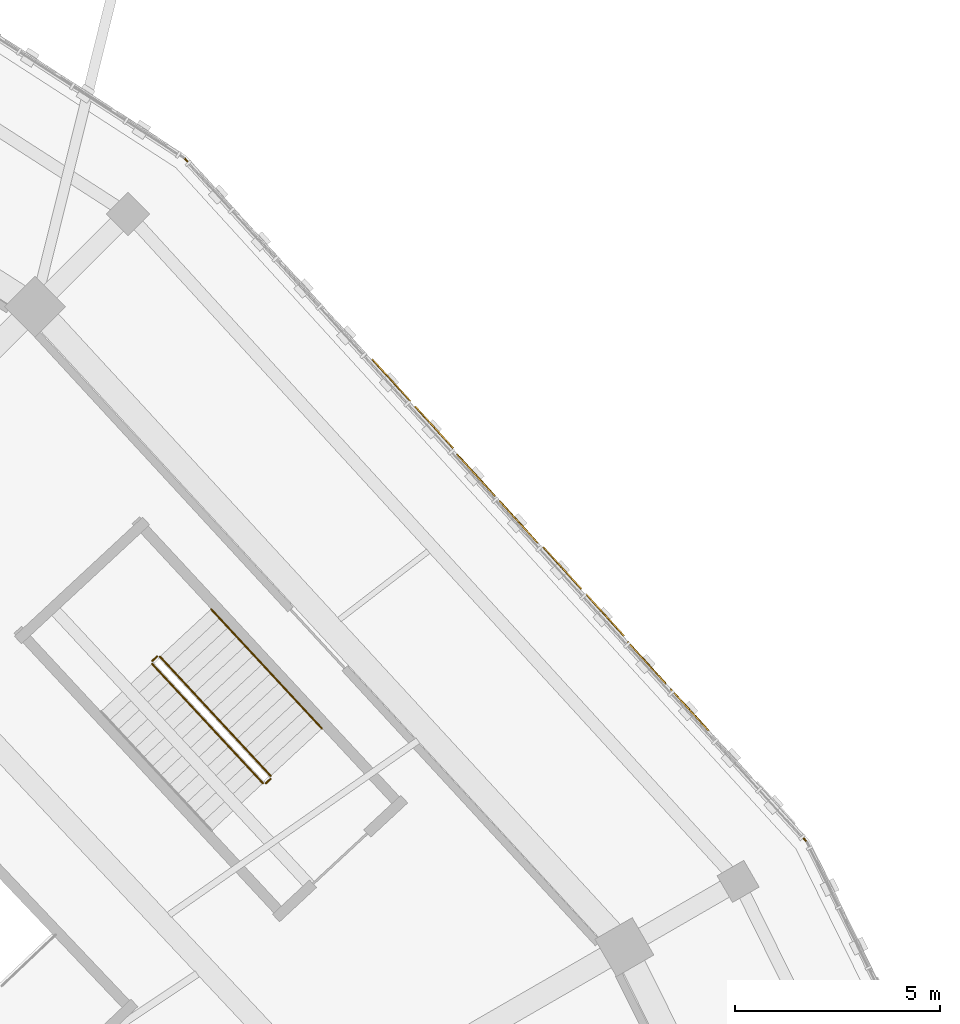
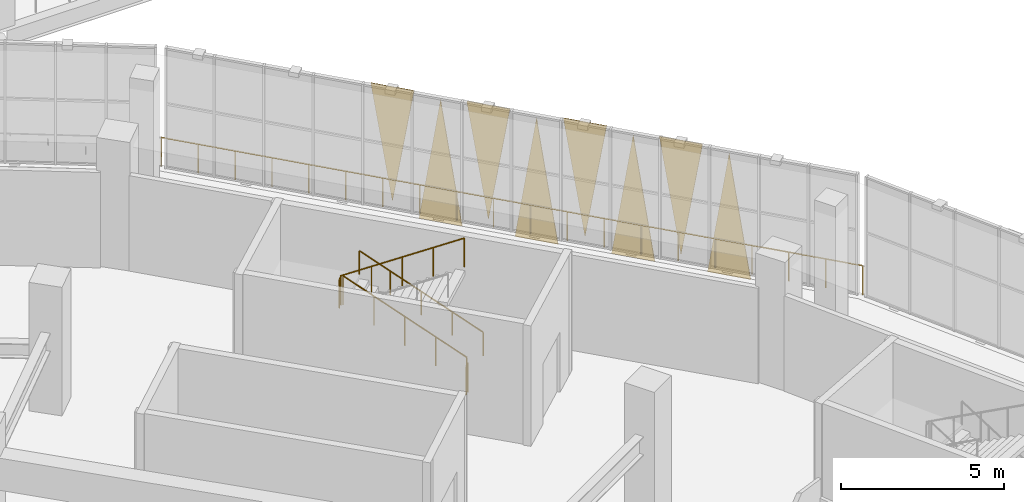
# One storey, part 172 of 179: 8 coverings, 6 railings.
"""IFC4 building model written with IfcOpenShell, lengths in metres."""

import ifcopenshell
import ifcopenshell.guid

model = None  # the IFC model being written
_history = None  # IfcOwnerHistory: only IFC2X3 demands one
_inside = {}  # id of a spatial element -> (the spatial element, [elements in it])
_under = {}  # id of a project, library or spatial element -> (it, [spatial elements below it])
_declared = {}  # id of a project -> (the project, [libraries it declares])
_typed = {}  # id of a type object -> (the type object, [elements of that type])
_made_of = {}  # id of a material, layer set ... -> (it, [elements and type objects made of it])


def new_model(schema):
    """Start an empty IFC model of exactly this schema.

    Asked for "IFC4X3", IfcOpenShell would pick the latest addendum, in which some entities
    have other attributes; the version numbers below select the first issue.
    IFC2X3 requires an IfcOwnerHistory on every rooted entity: one is made here for all.
    """
    global model, _history
    if schema == "IFC4X3":
        model = ifcopenshell.file(schema_version=(4, 3, 0, 0))
    else:
        model = ifcopenshell.file(schema=schema)
    _inside.clear()
    _under.clear()
    _declared.clear()
    _typed.clear()
    _made_of.clear()
    _history = None
    if model.schema == "IFC2X3":
        org = make("IfcOrganization", Name="unknown")
        user = make(
            "IfcPersonAndOrganization",
            ThePerson=make("IfcPerson", FamilyName="unknown"),
            TheOrganization=org,
        )
        app = make(
            "IfcApplication",
            ApplicationDeveloper=org,
            Version="unknown",
            ApplicationFullName="unknown",
            ApplicationIdentifier="unknown",
        )
        _history = make(
            "IfcOwnerHistory",
            OwningUser=user,
            OwningApplication=app,
            ChangeAction="ADDED",
            CreationDate=0,
        )
    return model


def make(cls, **values):
    """One entity of the class cls with the attributes given. An attribute that is None is left unset."""
    return model.create_entity(
        cls, **{name: value for name, value in values.items() if value is not None}
    )


def rooted(cls, **values):
    """An entity with a GlobalId (a new one), such as an element, a storey or a relation."""
    return make(cls, GlobalId=ifcopenshell.guid.new(), OwnerHistory=_history, **values)


def si_unit(unit_type, name, prefix=None):
    """IfcSIUnit, for example si_unit("LENGTHUNIT", "METRE", prefix="MILLI")."""
    return make("IfcSIUnit", UnitType=unit_type, Prefix=prefix, Name=name)


def assignment(units):
    """IfcUnitAssignment: the units of a project."""
    return None if units is None else make("IfcUnitAssignment", Units=units)


def point(xyz):
    """IfcCartesianPoint."""
    return None if xyz is None else make("IfcCartesianPoint", Coordinates=xyz)


def direction(xyz):
    """IfcDirection."""
    return None if xyz is None else make("IfcDirection", DirectionRatios=xyz)


def frame(location, z_axis=None, x_axis=None):
    """IfcAxis2Placement3D, a coordinate frame: its origin and axes. An axis left out is left unset."""
    return make(
        "IfcAxis2Placement3D",
        Location=point(location),
        Axis=direction(z_axis),
        RefDirection=direction(x_axis),
    )


def frame_2d(location, x_axis=None):
    """IfcAxis2Placement2D, a coordinate frame in the plane: its origin and x axis."""
    return make(
        "IfcAxis2Placement2D", Location=point(location), RefDirection=direction(x_axis)
    )


def origin():
    """The frame at (0, 0, 0) with its axes left unset."""
    return frame((0.0, 0.0, 0.0))


def origin_2d():
    """The frame at (0, 0) in the plane with its x axis left unset."""
    return frame_2d((0.0, 0.0))


def place(relative_to, where):
    """IfcLocalPlacement: puts the frame where relative to a parent placement (None: the world)."""
    return make(
        "IfcLocalPlacement", PlacementRelTo=relative_to, RelativePlacement=where
    )


def context(
    kind, dimensions, precision=None, world=None, true_north=None, identifier=None
):
    """IfcGeometricRepresentationContext, for example the 3D "Model" context."""
    return make(
        "IfcGeometricRepresentationContext",
        ContextIdentifier=identifier,
        ContextType=kind,
        CoordinateSpaceDimension=dimensions,
        Precision=precision,
        WorldCoordinateSystem=world,
        TrueNorth=true_north,
    )


def subcontext(parent, identifier, kind, view, scale=None):
    """IfcGeometricRepresentationSubContext, for example "Body" below "Model"."""
    return make(
        "IfcGeometricRepresentationSubContext",
        ContextIdentifier=identifier,
        ContextType=kind,
        ParentContext=parent,
        TargetScale=scale,
        TargetView=view,
    )


def project(units=None, contexts=None):
    """IfcProject with its units and contexts."""
    return rooted(
        "IfcProject",
        Name="project",
        RepresentationContexts=contexts,
        UnitsInContext=assignment(units),
    )


def spatial(cls, under=None, at=None, **own):
    """A site, building, storey or space (cls), placed at a placement, below another one or the project."""
    s = rooted(cls, ObjectPlacement=at, **own)
    if under is not None:
        _under.setdefault(under.id(), (under, []))[1].append(s)
    return s


def polyline(points):
    """IfcPolyline through the points."""
    return make("IfcPolyline", Points=[point(p) for p in points])


def profile(cls, at=None, kind="AREA", **sizes):
    """A parametric profile (cls). Its sizes go by their IFC names, for example OverallWidth=200.0."""
    return make(cls, ProfileType=kind, Position=at, **sizes)


def circle(**sizes):
    """IfcCircleProfileDef."""
    return profile("IfcCircleProfileDef", **sizes)


def outline(outer, holes=None, kind="AREA"):
    """IfcArbitraryClosedProfileDef: a profile drawn as a closed curve; with holes, ...WithVoids."""
    if holes is None:
        return make("IfcArbitraryClosedProfileDef", ProfileType=kind, OuterCurve=outer)
    return make(
        "IfcArbitraryProfileDefWithVoids",
        ProfileType=kind,
        OuterCurve=outer,
        InnerCurves=holes,
    )


def extrude(swept, where, along, depth):
    """IfcExtrudedAreaSolid: the profile swept, set in the frame where, extruded along a direction by depth."""
    return make(
        "IfcExtrudedAreaSolid",
        SweptArea=swept,
        Position=where,
        ExtrudedDirection=direction(along),
        Depth=depth,
    )


def shape(context_of_items, identifier, shape_type, items):
    """IfcShapeRepresentation: the items that make up one representation, for example the "Body"."""
    return make(
        "IfcShapeRepresentation",
        ContextOfItems=context_of_items,
        RepresentationIdentifier=identifier,
        RepresentationType=shape_type,
        Items=items,
    )


def material(Name=None, Category=None):
    """IfcMaterial."""
    return make("IfcMaterial", Name=Name, Category=Category)


def layer(
    of_material, thickness, ventilated=None, Name=None, Category=None, Priority=None
):
    """IfcMaterialLayer: one layer of a wall or slab, of a material (None: an air gap)."""
    return make(
        "IfcMaterialLayer",
        Material=of_material,
        LayerThickness=thickness,
        IsVentilated=ventilated,
        Name=Name,
        Category=Category,
        Priority=Priority,
    )


def layer_set(layers, Name=None):
    """IfcMaterialLayerSet."""
    return make("IfcMaterialLayerSet", MaterialLayers=layers, LayerSetName=Name)


def made_of(thing, what):
    """Note that an element or type object is made of a material, layer set ...; save() writes the relation."""
    if what is not None:
        _made_of.setdefault(what.id(), (what, []))[1].append(thing)
    return thing


def type_object(cls, material=None, **own):
    """A type object (cls), such as IfcWallType, which elements share."""
    return made_of(rooted(cls, **own), material)


def element(
    cls,
    number,
    at=None,
    inside=None,
    cuts=None,
    type_object=None,
    material=None,
    context=None,
    identifier="Body",
    shape_type=None,
    held_by="IfcProductDefinitionShape",
    body=None,
    shapes=None,
    **own,
):
    """One element of the class cls, such as IfcWall. Its Tag is "e" and its number.

    at: its placement. inside: the storey or other place that contains it. cuts: it is an
    opening in that element (IfcRelVoidsElement). A single representation is given by context,
    identifier, shape_type and body (its items); several are given by shapes. held_by: the class
    of the entity that holds the representations. save() writes the other relations.
    """
    e = rooted(cls, Tag="e%d" % number, ObjectPlacement=at, **own)
    if body is not None:
        shapes = [shape(context, identifier, shape_type, body)]
    if shapes is not None:
        e.Representation = make(held_by, Representations=shapes)
    if inside is not None:
        _inside.setdefault(inside.id(), (inside, []))[1].append(e)
    if cuts is not None:
        rooted(
            "IfcRelVoidsElement", RelatingBuildingElement=cuts, RelatedOpeningElement=e
        )
    if type_object is not None:
        _typed.setdefault(type_object.id(), (type_object, []))[1].append(e)
    return made_of(e, material)


def aggregate(whole, parts):
    """IfcRelAggregates: a whole, such as a stair, and the parts it consists of."""
    return rooted("IfcRelAggregates", RelatingObject=whole, RelatedObjects=parts)


def save(model, path):
    """Write the relations noted so far, then the file.

    IfcRelAggregates (storeys below a building ...), IfcRelContainedInSpatialStructure (elements
    in a storey), IfcRelDefinesByType, IfcRelAssociatesMaterial and IfcRelDeclares: one each for
    every whole, place, type object, material and project.
    """
    for whole, parts in _under.values():
        aggregate(whole, parts)
    for where, things in _inside.values():
        rooted(
            "IfcRelContainedInSpatialStructure",
            RelatedElements=things,
            RelatingStructure=where,
        )
    for kind, things in _typed.values():
        rooted("IfcRelDefinesByType", RelatedObjects=things, RelatingType=kind)
    for what, things in _made_of.values():
        rooted("IfcRelAssociatesMaterial", RelatedObjects=things, RelatingMaterial=what)
    for by, libraries in _declared.values():
        rooted("IfcRelDeclares", RelatingContext=by, RelatedDefinitions=libraries)
    model.write(path)


model = new_model("IFC4")

# Units and contexts
model_context = context("Model", 3, precision=1e-05, world=origin(), true_north=direction((0.0, 1.0)))
body_context = subcontext(model_context, "Body", "Model", "MODEL_VIEW")
ifc_project = project(units=[si_unit("LENGTHUNIT", "METRE"), si_unit("AREAUNIT", "SQUARE_METRE"), si_unit("VOLUMEUNIT", "CUBIC_METRE"), si_unit("PLANEANGLEUNIT", "RADIAN"), si_unit("MASSUNIT", "GRAM", prefix="KILO")], contexts=[model_context])

# Site, building, storey
site_placement = place(None, origin())
site = spatial("IfcSite", under=ifc_project, at=site_placement, CompositionType="ELEMENT")
building_placement = place(site_placement, origin())
building = spatial("IfcBuilding", under=site, at=building_placement, Name="Zevraka Park Crest Stadium", CompositionType="ELEMENT")
storey_placement = place(building_placement, frame((0.0, 0.0, 10.199951171875)))
storey = spatial("IfcBuildingStorey", under=building, at=storey_placement, Name="L02", CompositionType="ELEMENT", Elevation=10.199951171875)

# Coverings
ifc_material_1 = material(Name="Architectural golden-bronze perforated aluminium", Category="aluminium")
ifc_layer = layer(ifc_material_1, 0.034912109375)
ifc_layer_set = layer_set([ifc_layer], Name="Architectural golden-bronze perforated aluminium")
covering_type = type_object("IfcCoveringType", Name="CLD01", PredefinedType="CLADDING", material=ifc_layer_set)
covering_1_placement = place(storey_placement, frame((192.26708984375, 134.928955078125, -0.239990234375), z_axis=(0.739525523705, 0.673128495261, 0.000169283236), x_axis=(-0.673128504906, 0.739525534301, 0.0)))
element("IfcCovering", 1, at=covering_1_placement, inside=storey, type_object=covering_type, Name="Triangular Golden-Bronze Perforated Cladding L02-02-3", PredefinedType="CLADDING", context=body_context, shape_type="SweptSolid", body=[
    extrude(outline(polyline([(0.0, 0.0), (1.386221890693398, 0.0), (0.6929882508091156, 4.560058659088377), (0.0, 0.0)])), origin(), (0.0, 0.0, -1.0), 0.034912109375),
])
covering_2_placement = place(storey_placement, frame((190.29296875, 137.096923828125, 4.47998046875), z_axis=(0.739445718619, 0.673216183078, 7.591213e-06), x_axis=(0.673216183098, -0.73944571864, 0.0)))
element("IfcCovering", 2, at=covering_2_placement, inside=storey, type_object=covering_type, Name="Triangular Golden-Bronze Perforated Cladding L02-02-4", PredefinedType="CLADDING", context=body_context, shape_type="SweptSolid", body=[
    extrude(outline(polyline([(0.0, 0.0), (1.3860413522097383, 0.0), (0.6937104524240771, 4.2600097657477445), (0.0, 0.0)])), origin(), (0.0, 0.0, -1.0), 0.034912109375),
])
covering_3_placement = place(storey_placement, frame((190.18505859375, 137.215087890625, -0.239990234375), z_axis=(-0.739445710181, -0.673216175396, 0.000151264791), x_axis=(-0.673216183098, 0.73944571864, 0.0)))
element("IfcCovering", 3, at=covering_3_placement, inside=storey, type_object=covering_type, Name="Triangular Golden-Bronze Perforated Cladding L02-02-5", PredefinedType="CLADDING", context=body_context, shape_type="SweptSolid", body=[
    extrude(outline(polyline([(0.0, 0.0), (1.3860413522097383, 0.0), (0.693053014745271, -4.560058645919435), (0.0, 0.0)])), origin(), (0.0, 0.0, -1.0), 0.034912109375),
])
covering_4_placement = place(storey_placement, frame((188.2119140625, 139.384033203125, 4.47998046875), z_axis=(-0.739525526779, -0.673128498059, 0.000142629595), x_axis=(0.673128504906, -0.739525534301, 0.0)))
element("IfcCovering", 4, at=covering_4_placement, inside=storey, type_object=covering_type, Name="Triangular Golden-Bronze Perforated Cladding L02-02-6", PredefinedType="CLADDING", context=body_context, shape_type="SweptSolid", body=[
    extrude(outline(polyline([(0.0, 0.0), (1.386221890693398, -1.3552527156068805e-20), (0.6930530916581348, -4.260009808956119), (0.0, 0.0)])), origin(), (0.0, 0.0, -1.0), 0.034912109375),
])
covering_5_placement = place(storey_placement, frame((188.10400390625, 139.501953125, -0.239990234375), z_axis=(0.739525523705, 0.673128495261, 0.000169283236), x_axis=(-0.673128504906, 0.739525534301, 0.0)))
element("IfcCovering", 5, at=covering_5_placement, inside=storey, type_object=covering_type, Name="Triangular Golden-Bronze Perforated Cladding L02-02-7", PredefinedType="CLADDING", context=body_context, shape_type="SweptSolid", body=[
    extrude(outline(polyline([(0.0, 0.0), (1.386221890693398, 0.0), (0.6929882508091156, 4.560058659088377), (0.0, 0.0)])), origin(), (0.0, 0.0, -1.0), 0.034912109375),
])
covering_6_placement = place(storey_placement, frame((186.1298828125, 141.669921875, 4.47998046875), z_axis=(0.739445708947, 0.673216174272, 0.00016191895), x_axis=(0.673216183098, -0.73944571864, 0.0)))
element("IfcCovering", 6, at=covering_6_placement, inside=storey, type_object=covering_type, Name="Triangular Golden-Bronze Perforated Cladding L02-02-8", PredefinedType="CLADDING", context=body_context, shape_type="SweptSolid", body=[
    extrude(outline(polyline([(0.0, 0.0), (1.3860413522097383, 1.3552527156068805e-20), (0.6929883374644674, 4.2600098214689295), (0.0, 0.0)])), origin(), (0.0, 0.0, -1.0), 0.034912109375),
])
covering_7_placement = place(storey_placement, frame((186.02197265625, 141.7880859375, -0.239990234375), z_axis=(-0.739533401254, -0.673119849021, 0.000131466956), x_axis=(-0.673119854838, 0.739533407645, 0.0)))
element("IfcCovering", 7, at=covering_7_placement, inside=storey, type_object=covering_type, Name="Triangular Golden-Bronze Perforated Cladding L02-02-9", PredefinedType="CLADDING", context=body_context, shape_type="SweptSolid", body=[
    extrude(outline(polyline([(0.0, 0.0), (1.3858770045481608, -1.3552527156068805e-20), (0.6930530987176917, -4.560058633157025), (0.0, 0.0)])), origin(), (0.0, 0.0, -1.0), 0.034912109375),
])
covering_8_placement = place(storey_placement, frame((184.049072265625, 143.95703125, 4.47998046875), z_axis=(-0.7396132, -0.673032159371, 0.000163824932), x_axis=(0.673032168403, -0.739613209925, 0.0)))
element("IfcCovering", 8, at=covering_8_placement, inside=storey, type_object=covering_type, Name="Triangular Golden-Bronze Perforated Cladding L02-02-10", PredefinedType="CLADDING", context=body_context, shape_type="SweptSolid", body=[
    extrude(outline(polyline([(0.0, 0.0), (1.386057564438635, 1.3552527156068805e-20), (0.6928888504307142, -4.260009822791368), (0.0, 0.0)])), origin(), (0.0, 0.0, -1.0), 0.034912109375),
])

# Railings
ifc_material_2 = material(Name="Galvanised and bronze-finished steel balustrade", Category="steel")
railing_type_1 = type_object("IfcRailingType", Name="GR01", PredefinedType="GUARDRAIL", material=ifc_material_2)
railing_1_placement = place(storey_placement, frame((179.48291015625, 148.867919921875, 0.0)))
element("IfcRailing", 9, at=railing_1_placement, inside=storey, type_object=railing_type_1, Name="Deck Edge Protection Guardrail GR01 L02-19", PredefinedType="GUARDRAIL", context=body_context, shape_type="SweptSolid", body=[
    extrude(circle(Radius=0.02392578125, at=origin_2d()), frame((0.0, 0.0, 1.076171875), z_axis=(0.673170013171, -0.739487750654, 0.0), x_axis=(0.739487750654, 0.673170013171, 0.0)), (0.0, 0.0, 1.0), 22.5263671875),
    extrude(circle(Radius=0.02099609375, at=origin_2d()), origin(), (0.0, 0.0, 1.0), 1.052001953125),
    extrude(circle(Radius=0.02099609375, at=origin_2d()), frame((0.798095703125, -0.876708984375, 0.0)), (0.0, 0.0, 1.0), 1.052001953125),
    extrude(circle(Radius=0.02099609375, at=origin_2d()), frame((1.59619140625, -1.75341796875, 0.0)), (0.0, 0.0, 1.0), 1.052001953125),
    extrude(circle(Radius=0.02099609375, at=origin_2d()), frame((2.394287109375, -2.630126953125, 0.0)), (0.0, 0.0, 1.0), 1.052001953125),
    extrude(circle(Radius=0.02099609375, at=origin_2d()), frame((3.1923828125, -3.5068359375, 0.0)), (0.0, 0.0, 1.0), 1.052001953125),
    extrude(circle(Radius=0.02099609375, at=origin_2d()), frame((3.990478515625, -4.3837890625, 0.0)), (0.0, 0.0, 1.0), 1.052001953125),
    extrude(circle(Radius=0.02099609375, at=origin_2d()), frame((4.78857421875, -5.260498046875, 0.0)), (0.0, 0.0, 1.0), 1.052001953125),
    extrude(circle(Radius=0.02099609375, at=origin_2d()), frame((5.586669921875, -6.13720703125, 0.0)), (0.0, 0.0, 1.0), 1.052001953125),
    extrude(circle(Radius=0.02099609375, at=origin_2d()), frame((6.384765625, -7.013916015625, 0.0)), (0.0, 0.0, 1.0), 1.052001953125),
    extrude(circle(Radius=0.02099609375, at=origin_2d()), frame((7.182861328125, -7.890625, 0.0)), (0.0, 0.0, 1.0), 1.052001953125),
    extrude(circle(Radius=0.02099609375, at=origin_2d()), frame((7.981201171875, -8.767333984375, 0.0)), (0.0, 0.0, 1.0), 1.052001953125),
    extrude(circle(Radius=0.02099609375, at=origin_2d()), frame((8.779296875, -9.64404296875, 0.0)), (0.0, 0.0, 1.0), 1.052001953125),
    extrude(circle(Radius=0.02099609375, at=origin_2d()), frame((9.577392578125, -10.520751953125, 0.0)), (0.0, 0.0, 1.0), 1.052001953125),
    extrude(circle(Radius=0.02099609375, at=origin_2d()), frame((10.37548828125, -11.3974609375, 0.0)), (0.0, 0.0, 1.0), 1.052001953125),
    extrude(circle(Radius=0.02099609375, at=origin_2d()), frame((11.173583984375, -12.274169921875, 0.0)), (0.0, 0.0, 1.0), 1.052001953125),
    extrude(circle(Radius=0.02099609375, at=origin_2d()), frame((11.9716796875, -13.151123046875, 0.0)), (0.0, 0.0, 1.0), 1.052001953125),
    extrude(circle(Radius=0.02099609375, at=origin_2d()), frame((12.769775390625, -14.02783203125, 0.0)), (0.0, 0.0, 1.0), 1.052001953125),
    extrude(circle(Radius=0.02099609375, at=origin_2d()), frame((13.56787109375, -14.904541015625, 0.0)), (0.0, 0.0, 1.0), 1.052001953125),
    extrude(circle(Radius=0.02099609375, at=origin_2d()), frame((14.365966796875, -15.78125, 0.0)), (0.0, 0.0, 1.0), 1.052001953125),
    extrude(circle(Radius=0.02099609375, at=origin_2d()), frame((15.1640625, -16.657958984375, 0.0)), (0.0, 0.0, 1.0), 1.052001953125),
])
ifc_material_3 = material(Name="Powder-coated tubular steel stairwell guard", Category="steel")
railing_type_2 = type_object("IfcRailingType", Name="GR03", PredefinedType="GUARDRAIL", material=ifc_material_3)
railing_2_placement = place(storey_placement, frame((181.589599609375, 133.81787109375, 0.17138671875)))
element("IfcRailing", 10, at=railing_2_placement, inside=storey, type_object=railing_type_2, Name="L02 ST03 stair guard 1", PredefinedType="GUARDRAIL", context=body_context, shape_type="SweptSolid", body=[
    extrude(circle(Radius=0.02392578125, at=origin_2d()), frame((0.0, 0.0, 1.076171875), z_axis=(-0.593000427987, 0.638946152675, 0.489998271822), x_axis=(-0.732968909084, -0.680262139412, 0.0)), (0.0, 0.0, 1.0), 4.548583984375),
    extrude(circle(Radius=0.02099609375, at=origin_2d()), origin(), (0.0, 0.0, 1.0), 1.052001953125),
    extrude(circle(Radius=0.02099609375, at=origin_2d()), frame((-0.67431640625, 0.7265625, 0.55712890625)), (0.0, 0.0, 1.0), 1.052001953125),
    extrude(circle(Radius=0.02099609375, at=origin_2d()), frame((-1.3486328125, 1.453125, 1.1142578125)), (0.0, 0.0, 1.0), 1.052001953125),
    extrude(circle(Radius=0.02099609375, at=origin_2d()), frame((-2.02294921875, 2.1796875, 1.671630859375)), (0.0, 0.0, 1.0), 1.052001953125),
    extrude(circle(Radius=0.02099609375, at=origin_2d()), frame((-2.697265625, 2.90625, 2.228759765625)), (0.0, 0.0, 1.0), 1.052001953125),
])
railing_3_placement = place(storey_placement, frame((178.82177734375, 136.726806640625, 2.400146484375)))
element("IfcRailing", 11, at=railing_3_placement, inside=storey, type_object=railing_type_2, Name="L02 ST03 stair guard 2", PredefinedType="GUARDRAIL", context=body_context, shape_type="SweptSolid", body=[
    extrude(circle(Radius=0.02392578125, at=origin_2d()), frame((0.0, 0.0, 1.076171875), z_axis=(-0.732576022975, -0.680685221348, 0.0), x_axis=(0.680685221348, -0.732576022975, 0.0)), (0.0, 0.0, 1.0), 0.159912109375),
    extrude(circle(Radius=0.02099609375, at=origin_2d()), origin(), (0.0, 0.0, 1.0), 1.052001953125),
    extrude(circle(Radius=0.02099609375, at=origin_2d()), frame((-0.1171875, -0.10888671875, 0.0)), (0.0, 0.0, 1.0), 1.052001953125),
])
railing_4_placement = place(storey_placement, frame((178.701904296875, 136.54736328125, 2.571533203125)))
element("IfcRailing", 12, at=railing_4_placement, inside=storey, type_object=railing_type_2, Name="L02 ST03 stair guard 3", PredefinedType="GUARDRAIL", context=body_context, shape_type="SweptSolid", body=[
    extrude(circle(Radius=0.02392578125, at=origin_2d()), frame((0.0, 0.0, 1.076171875), z_axis=(0.593016024023, -0.638962957094, 0.489957482557), x_axis=(0.732968909084, 0.680262139412, 0.0)), (0.0, 0.0, 1.0), 4.54833984375),
    extrude(circle(Radius=0.02099609375, at=origin_2d()), origin(), (0.0, 0.0, 1.0), 1.052001953125),
    extrude(circle(Radius=0.02099609375, at=origin_2d()), frame((0.67431640625, -0.7265625, 0.55712890625)), (0.0, 0.0, 1.0), 1.052001953125),
    extrude(circle(Radius=0.02099609375, at=origin_2d()), frame((1.3486328125, -1.453125, 1.1142578125)), (0.0, 0.0, 1.0), 1.052001953125),
    extrude(circle(Radius=0.02099609375, at=origin_2d()), frame((2.02294921875, -2.1796875, 1.67138671875)), (0.0, 0.0, 1.0), 1.052001953125),
    extrude(circle(Radius=0.02099609375, at=origin_2d()), frame((2.697265625, -2.90625, 2.228515625)), (0.0, 0.0, 1.0), 1.052001953125),
])
railing_5_placement = place(storey_placement, frame((181.5869140625, 133.747314453125, 0.0)))
element("IfcRailing", 13, at=railing_5_placement, inside=storey, type_object=railing_type_2, Name="L02 ST03 stair guard 4", PredefinedType="GUARDRAIL", context=body_context, shape_type="SweptSolid", body=[
    extrude(circle(Radius=0.02392578125, at=origin_2d()), frame((0.0, 0.0, 1.076171875), z_axis=(-0.732576022975, -0.680685221348, 0.0), x_axis=(0.680685221348, -0.732576022975, 0.0)), (0.0, 0.0, 1.0), 0.159912109375),
    extrude(circle(Radius=0.02099609375, at=origin_2d()), origin(), (0.0, 0.0, 1.0), 1.052001953125),
    extrude(circle(Radius=0.02099609375, at=origin_2d()), frame((-0.1171875, -0.10888671875, 0.0)), (0.0, 0.0, 1.0), 1.052001953125),
])
ifc_material_4 = material(Name="Brushed stainless steel continuous handrail", Category="steel")
railing_type_3 = type_object("IfcRailingType", Name="HR01", PredefinedType="HANDRAIL", material=ifc_material_4)
railing_6_placement = place(storey_placement, frame((182.835693359375, 134.974365234375, 0.17138671875)))
element("IfcRailing", 14, at=railing_6_placement, inside=storey, type_object=railing_type_3, Name="L02 ST03 stair handrail 1", PredefinedType="HANDRAIL", context=body_context, shape_type="SweptSolid", body=[
    extrude(circle(Radius=0.02392578125, at=origin_2d()), frame((0.0, 0.0, 0.8759765625), z_axis=(-0.593000427987, 0.638946152675, 0.489998271822), x_axis=(-0.732968909084, -0.680262139412, 0.0)), (0.0, 0.0, 1.0), 4.548583984375),
    extrude(circle(Radius=0.02099609375, at=origin_2d()), origin(), (0.0, 0.0, 1.0), 0.851806640625),
    extrude(circle(Radius=0.02099609375, at=origin_2d()), frame((-0.67431640625, 0.7265625, 0.55712890625)), (0.0, 0.0, 1.0), 0.851806640625),
    extrude(circle(Radius=0.02099609375, at=origin_2d()), frame((-1.3486328125, 1.453125, 1.1142578125)), (0.0, 0.0, 1.0), 0.851806640625),
    extrude(circle(Radius=0.02099609375, at=origin_2d()), frame((-2.02294921875, 2.1796875, 1.671630859375)), (0.0, 0.0, 1.0), 0.851806640625),
    extrude(circle(Radius=0.02099609375, at=origin_2d()), frame((-2.697265625, 2.90625, 2.228759765625)), (0.0, 0.0, 1.0), 0.851806640625),
])

save(model, "model.ifc")
